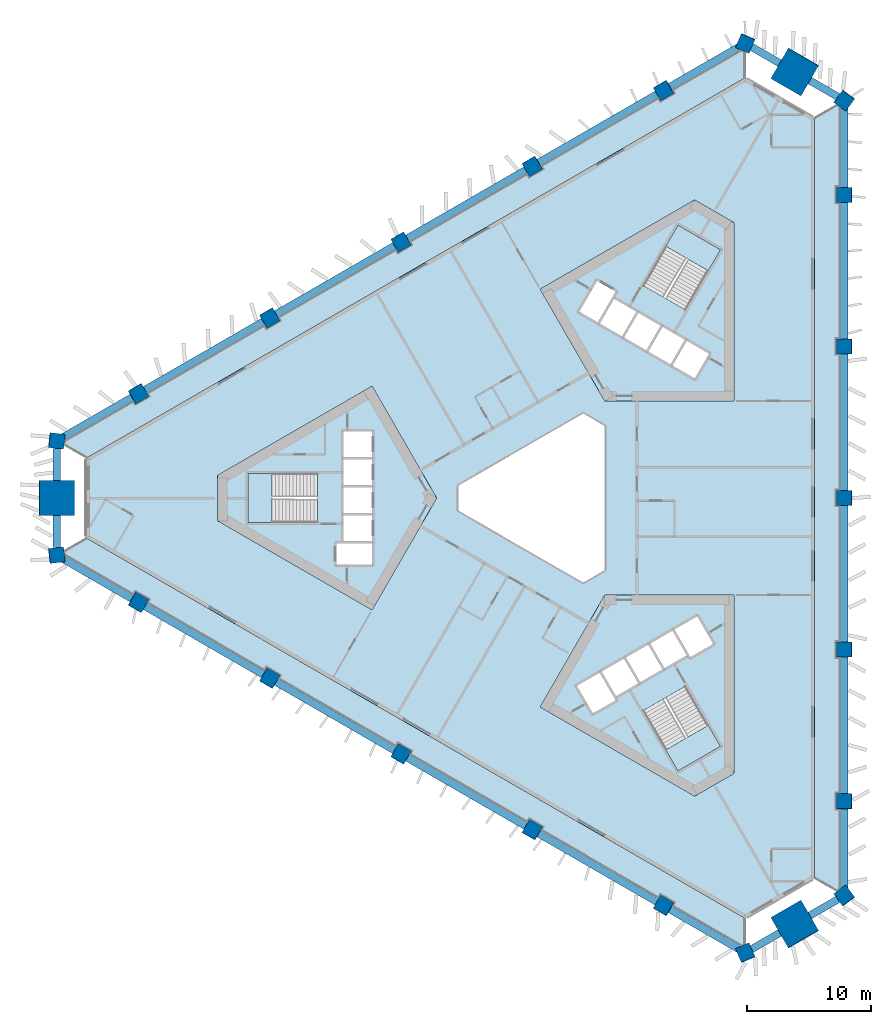
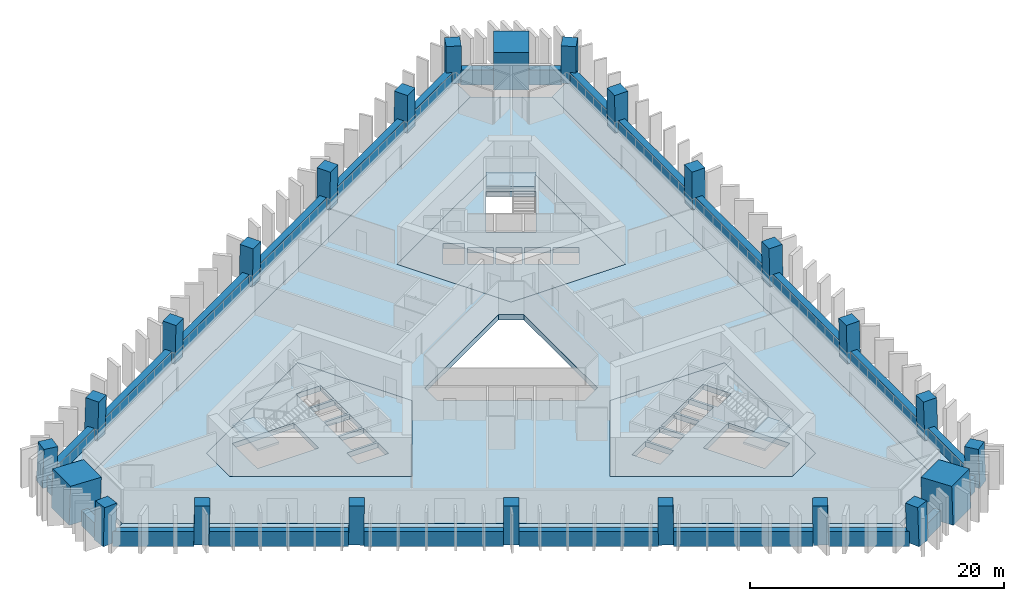
# One storey, part 1 of 10: 24 beams, 24 columns, 10 slabs, 3 elements without a shape of their own.
"""IFC4 building model written with IfcOpenShell, lengths in metres."""

from ifc_helpers import new_model, si_unit, direction, frame, origin, origin_2d, place, context, subcontext, project, spatial, polyline, rectangle, outline, extrude, material, layer, layer_set, material_profile, profile_set, type_object, element, aggregate, save


model = new_model("IFC4")

# Units and contexts
model_context = context("Model", 3, precision=1e-05, world=origin(), true_north=direction((0.0, 1.0)))
body_context = subcontext(model_context, "Body", "Model", "MODEL_VIEW")
ifc_project = project(units=[si_unit("LENGTHUNIT", "METRE"), si_unit("AREAUNIT", "SQUARE_METRE"), si_unit("VOLUMEUNIT", "CUBIC_METRE"), si_unit("PLANEANGLEUNIT", "RADIAN"), si_unit("MASSUNIT", "GRAM", prefix="KILO")], contexts=[model_context])

# Site, building, storey
site_placement = place(None, origin())
site = spatial("IfcSite", under=ifc_project, at=site_placement, CompositionType="ELEMENT")
building_placement = place(site_placement, origin())
building = spatial("IfcBuilding", under=site, at=building_placement, Name="Jabali Bay Hotel Tower and Convention Centre", CompositionType="ELEMENT")
storey_placement = place(building_placement, frame((0.0, 0.0, 44.800048828125)))
storey = spatial("IfcBuildingStorey", under=building, at=storey_placement, Name="L09", CompositionType="ELEMENT", Elevation=44.800048828125)

# Columns
ifc_material_1 = material(Name="Concrete C60", Category="concrete")
ifc_material_profile_1 = material_profile(ifc_material_1, rectangle(XDim=1.199951171875, YDim=1.199951171875, at=origin_2d()), Name="Frame column 1200")
ifc_profile_set_1 = profile_set([ifc_material_profile_1], Name="Concrete C60")
column_type_1 = type_object("IfcColumnType", Name="Frame column 1200", PredefinedType="COLUMN", material=ifc_profile_set_1)
column_1_placement = place(storey_placement, frame((84.224609375, 112.75146484375, 0.0), z_axis=(-0.008376454378, -0.028163354484, 0.999568237028), x_axis=(0.865853490665, 0.499842344986, 0.021339232902)))
element("IfcColumn", 1, at=column_1_placement, inside=storey, type_object=column_type_1, Name="FC1 F1.1 L09", PredefinedType="COLUMN", context=body_context, shape_type="SweptSolid", body=[
    extrude(rectangle(XDim=1.199951171875, YDim=1.199951171875, at=origin_2d()), origin(), (0.0, 0.0, 1.0), 3.70166015625),
])
column_2_placement = place(storey_placement, frame((73.674560546875, 106.66015625, 0.0), z_axis=(0.000857580205, -0.022758859284, 0.9997406158), x_axis=(0.865999914472, 0.499930977311, 0.010637953697)))
element("IfcColumn", 2, at=column_2_placement, inside=storey, type_object=column_type_1, Name="FC1 F1.2 L09", PredefinedType="COLUMN", context=body_context, shape_type="SweptSolid", body=[
    extrude(rectangle(XDim=1.199951171875, YDim=1.199951171875, at=origin_2d()), origin(), (0.0, 0.0, 1.0), 3.700927734375),
])
column_3_placement = place(storey_placement, frame((63.12451171875, 100.569091796875, 0.0), z_axis=(0.010093620709, -0.017482414954, 0.999796221231), x_axis=(-0.499902890187, 0.86584616669, 0.020187025825)))
element("IfcColumn", 3, at=column_3_placement, inside=storey, type_object=column_type_1, Name="FC1 F1.3 L09", PredefinedType="COLUMN", context=body_context, shape_type="SweptSolid", body=[
    extrude(rectangle(XDim=1.199951171875, YDim=1.199951171875, at=origin_2d()), origin(), (0.0, 0.0, 1.0), 3.70068359375),
])
column_4_placement = place(storey_placement, frame((52.57421875, 94.47802734375, 0.0), z_axis=(0.019328516974, -0.012138044789, 0.999739504221), x_axis=(-0.500214302693, 0.865666432488, 0.020181155676)))
element("IfcColumn", 4, at=column_4_placement, inside=storey, type_object=column_type_1, Name="FC1 F1.4 L09", PredefinedType="COLUMN", context=body_context, shape_type="SweptSolid", body=[
    extrude(rectangle(XDim=1.199951171875, YDim=1.199951171875, at=origin_2d()), origin(), (0.0, 0.0, 1.0), 3.700927734375),
])
for number, where, z_axis, x_axis, name in (
    (5, (42.024169921875, 88.386962890625, 0.0), (0.028559101991, -0.006859460986, 0.999568569678), (-0.498515218099, 0.866645785643, 0.020190580742), "FC1 F1.5 L09"),
    (6, (42.024169921875, 71.613037109375, 0.0), (0.028559101991, 0.006859460986, 0.999568569678), (-0.866410384874, 0.498876768373, 0.021331079692), "FC1 F2.1 L09"),
):
    element("IfcColumn", number, at=place(storey_placement, frame(where, z_axis=z_axis, x_axis=x_axis)), inside=storey, type_object=column_type_1, Name=name, PredefinedType="COLUMN", context=body_context, shape_type="SweptSolid", body=[
        extrude(rectangle(XDim=1.199951171875, YDim=1.199951171875, at=origin_2d()), origin(), (0.0, 0.0, 1.0), 3.70166015625),
    ])
column_5_placement = place(storey_placement, frame((52.57421875, 65.52197265625, 0.0), z_axis=(0.019328516974, 0.012138044789, 0.999739504221), x_axis=(-0.865685889808, 0.500474070789, 0.010660424724)))
element("IfcColumn", 7, at=column_5_placement, inside=storey, type_object=column_type_1, Name="FC1 F2.2 L09", PredefinedType="COLUMN", context=body_context, shape_type="SweptSolid", body=[
    extrude(rectangle(XDim=1.199951171875, YDim=1.199951171875, at=origin_2d()), origin(), (0.0, 0.0, 1.0), 3.700927734375),
])
column_6_placement = place(storey_placement, frame((63.12451171875, 59.430908203125, 0.0), z_axis=(0.010093620709, 0.017482414954, 0.999796221231), x_axis=(-0.866022643586, 0.500004780773, 1.3036e-08)))
element("IfcColumn", 8, at=column_6_placement, inside=storey, type_object=column_type_1, Name="FC1 F2.3 L09", PredefinedType="COLUMN", context=body_context, shape_type="SweptSolid", body=[
    extrude(rectangle(XDim=1.199951171875, YDim=1.199951171875, at=origin_2d()), origin(), (0.0, 0.0, 1.0), 3.70068359375),
])
column_7_placement = place(storey_placement, frame((73.674560546875, 53.33984375, 0.0), z_axis=(0.000857580205, 0.022758859284, 0.9997406158), x_axis=(-0.500043410805, -0.865766164879, 0.020137901104)))
element("IfcColumn", 9, at=column_7_placement, inside=storey, type_object=column_type_1, Name="FC1 F2.4 L09", PredefinedType="COLUMN", context=body_context, shape_type="SweptSolid", body=[
    extrude(rectangle(XDim=1.199951171875, YDim=1.199951171875, at=origin_2d()), origin(), (0.0, 0.0, 1.0), 3.700927734375),
])
for number, where, z_axis, x_axis, name in (
    (10, (84.224609375, 47.24853515625, 0.0), (-0.008376454378, 0.028163354484, 0.999568237028), (-0.500227515951, -0.8656583943, 0.02019843219), "FC1 F2.5 L09"),
    (11, (98.751220703125, 55.635498046875, 0.0), (-0.020182659751, 0.021303918626, 0.999569308901), (0.000228267203, -0.99977282903, 0.021312865295), "FC1 F0.1 L09"),
):
    element("IfcColumn", number, at=place(storey_placement, frame(where, z_axis=z_axis, x_axis=x_axis)), inside=storey, type_object=column_type_1, Name=name, PredefinedType="COLUMN", context=body_context, shape_type="SweptSolid", body=[
        extrude(rectangle(XDim=1.199951171875, YDim=1.199951171875, at=origin_2d()), origin(), (0.0, 0.0, 1.0), 3.70166015625),
    ])
column_8_placement = place(storey_placement, frame((98.751220703125, 67.81787109375, 0.0), z_axis=(-0.020186102726, 0.010620792611, 0.999739826165), x_axis=(0.001543238363, -0.999942052594, 0.01065410105)))
element("IfcColumn", 12, at=column_8_placement, inside=storey, type_object=column_type_1, Name="FC1 F0.2 L09", PredefinedType="COLUMN", context=body_context, shape_type="SweptSolid", body=[
    extrude(rectangle(XDim=1.199951171875, YDim=1.199951171875, at=origin_2d()), origin(), (0.0, 0.0, 1.0), 3.700927734375),
])
column_9_placement = place(storey_placement, frame((98.751220703125, 80.0, 0.0), z_axis=(-0.020187241331, 0.0, 0.99979621688), x_axis=(0.0, -1.0, 0.0)))
element("IfcColumn", 13, at=column_9_placement, inside=storey, type_object=column_type_1, Name="FC1 F0.3 L09", PredefinedType="COLUMN", context=body_context, shape_type="SweptSolid", body=[
    extrude(rectangle(XDim=1.199951171875, YDim=1.199951171875, at=origin_2d()), origin(), (0.0, 0.0, 1.0), 3.70068359375),
])
column_10_placement = place(storey_placement, frame((98.751220703125, 92.18212890625, 0.0), z_axis=(-0.020186102726, -0.010620792611, 0.999739826165), x_axis=(0.999795048834, -0.001757901631, 0.020168542579)))
element("IfcColumn", 14, at=column_10_placement, inside=storey, type_object=column_type_1, Name="FC1 F0.4 L09", PredefinedType="COLUMN", context=body_context, shape_type="SweptSolid", body=[
    extrude(rectangle(XDim=1.199951171875, YDim=1.199951171875, at=origin_2d()), origin(), (0.0, 0.0, 1.0), 3.700927734375),
])
column_11_placement = place(storey_placement, frame((98.751220703125, 104.364501953125, 0.0), z_axis=(-0.020182659751, -0.021303918626, 0.999569308901), x_axis=(0.999796283319, -0.000658319199, 0.020173211851)))
element("IfcColumn", 15, at=column_11_placement, inside=storey, type_object=column_type_1, Name="FC1 F0.5 L09", PredefinedType="COLUMN", context=body_context, shape_type="SweptSolid", body=[
    extrude(rectangle(XDim=1.199951171875, YDim=1.199951171875, at=origin_2d()), origin(), (0.0, 0.0, 1.0), 3.70166015625),
])
for number, where, z_axis, x_axis, name in (
    (16, (98.751220703125, 48.044921875, 0.0), (-0.020178741915, 0.029015184452, 0.999375273581), (-0.802691224147, -0.596393805554, 0.00110786934), "FC1 V0 L09"),
    (17, (98.751220703125, 111.955078125, 0.0), (-0.020178741915, -0.029015184452, 0.999375273581), (0.596053367621, 0.802167406324, 0.035324710609), "FC1 V1 L09"),
    (18, (90.79833984375, 116.546630859375, 0.0), (-0.015035141917, -0.031982648376, 0.99937533225), (0.917869609485, -0.396880527339, 0.001107701432), "FC1 V2 L09"),
    (19, (35.450439453125, 84.591552734375, 0.0), (0.03521388716, -0.002967462401, 0.999375393092), (-0.992723844465, 0.115116342113, 0.035321330804), "FC1 V3 L09"),
    (20, (35.450439453125, 75.408447265625, 0.0), (0.03521388716, 0.002967462401, 0.999375393092), (-0.115149254371, 0.993347583651, 0.001107823198), "FC1 V4 L09"),
    (21, (90.79833984375, 43.453369140625, 0.0), (-0.015035141917, 0.031982648376, 0.99937533225), (0.396597181647, -0.91731290039, 0.035323056028), "FC1 V5 L09"),
):
    element("IfcColumn", number, at=place(storey_placement, frame(where, z_axis=z_axis, x_axis=x_axis)), inside=storey, type_object=column_type_1, Name=name, PredefinedType="COLUMN", context=body_context, shape_type="SweptSolid", body=[
        extrude(rectangle(XDim=1.199951171875, YDim=1.199951171875, at=origin_2d()), origin(), (0.0, 0.0, 1.0), 3.7021484375),
    ])
ifc_material_2 = material(Name="Concrete C70", Category="concrete")
ifc_material_profile_2 = material_profile(ifc_material_2, rectangle(XDim=2.800048828125, YDim=2.800048828125, at=origin_2d()), Name="Mega column 2800")
ifc_profile_set_2 = profile_set([ifc_material_profile_2], Name="Concrete C70")
column_type_2 = type_object("IfcColumnType", Name="Mega column 2800", PredefinedType="COLUMN", material=ifc_profile_set_2)
for number, where, z_axis, x_axis, name in (
    (22, (94.774658203125, 114.2509765625, 0.0), (-0.017607001884, -0.030531992032, 0.999378702468), (0.866279052578, -0.499560409824, 2.461e-09), "MC1 M1 L09"),
    (23, (35.450439453125, 80.0, 0.0), (0.035214042205, 0.0, 0.999379793288), (0.0, 1.0, 0.0), "MC1 M0 L09"),
    (24, (94.774658203125, 45.7490234375, 0.0), (-0.017607001884, 0.030531992032, 0.999378702468), (0.4992500341, -0.865740835585, 0.035244986208), "MC1 M2 L09"),
):
    element("IfcColumn", number, at=place(storey_placement, frame(where, z_axis=z_axis, x_axis=x_axis)), inside=storey, type_object=column_type_2, Name=name, PredefinedType="COLUMN", context=body_context, shape_type="SweptSolid", body=[
        extrude(rectangle(XDim=2.800048828125, YDim=2.800048828125, at=origin_2d()), origin(), (0.0, 0.0, 1.0), 3.7021484375),
    ])

# Beams
ifc_material_profile_3 = material_profile(ifc_material_1, rectangle(XDim=0.60009765625, YDim=1.449951171875, at=origin_2d()), Name="Spandrel 600x1450")
ifc_profile_set_3 = profile_set([ifc_material_profile_3], Name="Concrete C60")
beam_type = type_object("IfcBeamType", Name="Spandrel 600x1450", PredefinedType="SPANDREL", material=ifc_profile_set_3)
beam_1_placement = place(storey_placement, frame((93.5556640625, 114.939453125, 0.375), z_axis=(-0.866036488581, 0.499980800078, 0.0), x_axis=(-0.499980800078, -0.866036488581, 0.0)))
element("IfcBeam", 25, at=beam_1_placement, inside=storey, type_object=beam_type, Name="Spandrel M1-V2 L09", PredefinedType="SPANDREL", context=body_context, shape_type="SweptSolid", body=[
    extrude(rectangle(XDim=0.60009765625, YDim=1.449951171875, at=origin_2d()), origin(), (0.0, 0.0, 1.0), 2.59033203125),
])
beam_2_placement = place(storey_placement, frame((90.27294921875, 116.234619140625, 0.375), z_axis=(-0.866018823291, -0.500011397576, 0.0), x_axis=(0.500011397576, -0.866018823291, 0.0)))
element("IfcBeam", 26, at=beam_2_placement, inside=storey, type_object=beam_type, Name="Spandrel V2-F1.1 L09", PredefinedType="SPANDREL", context=body_context, shape_type="SweptSolid", body=[
    extrude(rectangle(XDim=0.60009765625, YDim=1.449951171875, at=origin_2d()), origin(), (0.0, 0.0, 1.0), 6.387451171875),
])
for number, where, z_axis, x_axis, name in (
    (27, (83.701904296875, 112.44091796875, 0.375), (-0.866023011179, -0.500004144091, 0.0), (0.500004144091, -0.866023011179, 0.0), "Spandrel F1.1-F1.2 L09"),
    (28, (73.1552734375, 106.351806640625, 0.375), (-0.866023011179, -0.500004144091, 0.0), (0.500004144091, -0.866023011179, 0.0), "Spandrel F1.2-F1.3 L09"),
    (29, (62.608642578125, 100.2626953125, 0.375), (-0.866023011179, -0.500004144091, 0.0), (0.500004144091, -0.866023011179, 0.0), "Spandrel F1.3-F1.4 L09"),
    (30, (52.06201171875, 94.173583984375, 0.375), (-0.866023011179, -0.500004144091, 0.0), (0.500004144091, -0.866023011179, 0.0), "Spandrel F1.4-F1.5 L09"),
):
    element("IfcBeam", number, at=place(storey_placement, frame(where, z_axis=z_axis, x_axis=x_axis)), inside=storey, type_object=beam_type, Name=name, PredefinedType="SPANDREL", context=body_context, shape_type="SweptSolid", body=[
        extrude(rectangle(XDim=0.60009765625, YDim=1.449951171875, at=origin_2d()), origin(), (0.0, 0.0, 1.0), 10.978515625),
    ])
beam_3_placement = place(storey_placement, frame((41.515380859375, 88.08447265625, 0.375), z_axis=(-0.866028378584, -0.499994847461, 0.0), x_axis=(0.499994847461, -0.866028378584, 0.0)))
element("IfcBeam", 31, at=beam_3_placement, inside=storey, type_object=beam_type, Name="Spandrel F1.5-V3 L09", PredefinedType="SPANDREL", context=body_context, shape_type="SweptSolid", body=[
    extrude(rectangle(XDim=0.60009765625, YDim=1.449951171875, at=origin_2d()), origin(), (0.0, 0.0, 1.0), 6.3876953125),
])
for number, where, z_axis, x_axis, name in (
    (32, (35.463623046875, 83.990478515625, 0.375), (0.0, -1.0, 0.0), (1.0, 0.0, 0.0), "Spandrel V3-M0 L09"),
    (33, (35.463623046875, 78.60009765625, 0.375), (0.0, -1.0, 0.0), (1.0, 0.0, 0.0), "Spandrel M0-V4 L09"),
):
    element("IfcBeam", number, at=place(storey_placement, frame(where, z_axis=z_axis, x_axis=x_axis)), inside=storey, type_object=beam_type, Name=name, PredefinedType="SPANDREL", context=body_context, shape_type="SweptSolid", body=[
        extrude(rectangle(XDim=0.60009765625, YDim=1.449951171875, at=origin_2d()), origin(), (0.0, 0.0, 1.0), 2.590576171875),
    ])
beam_4_placement = place(storey_placement, frame((35.9833984375, 75.109375, 0.375), z_axis=(0.866028378584, -0.499994847461, 0.0), x_axis=(0.499994847461, 0.866028378584, 0.0)))
element("IfcBeam", 34, at=beam_4_placement, inside=storey, type_object=beam_type, Name="Spandrel V4-F2.1 L09", PredefinedType="SPANDREL", context=body_context, shape_type="SweptSolid", body=[
    extrude(rectangle(XDim=0.60009765625, YDim=1.449951171875, at=origin_2d()), origin(), (0.0, 0.0, 1.0), 6.3876953125),
])
for number, where, z_axis, x_axis, name in (
    (35, (42.554443359375, 71.315673828125, 0.375), (0.866023011179, -0.500004144091, 0.0), (0.500004144091, 0.866023011179, 0.0), "Spandrel F2.1-F2.2 L09"),
    (36, (53.10107421875, 65.2265625, 0.375), (0.866023011179, -0.500004144091, 0.0), (0.500004144091, 0.866023011179, 0.0), "Spandrel F2.2-F2.3 L09"),
    (37, (63.647705078125, 59.137451171875, 0.375), (0.866023011179, -0.500004144091, 0.0), (0.500004144091, 0.866023011179, 0.0), "Spandrel F2.3-F2.4 L09"),
    (38, (74.1943359375, 53.04833984375, 0.375), (0.866023011179, -0.500004144091, 0.0), (0.500004144091, 0.866023011179, 0.0), "Spandrel F2.4-F2.5 L09"),
):
    element("IfcBeam", number, at=place(storey_placement, frame(where, z_axis=z_axis, x_axis=x_axis)), inside=storey, type_object=beam_type, Name=name, PredefinedType="SPANDREL", context=body_context, shape_type="SweptSolid", body=[
        extrude(rectangle(XDim=0.60009765625, YDim=1.449951171875, at=origin_2d()), origin(), (0.0, 0.0, 1.0), 10.978515625),
    ])
beam_5_placement = place(storey_placement, frame((84.7412109375, 46.959228515625, 0.375), z_axis=(0.866018823291, -0.500011397576, 0.0), x_axis=(0.500011397576, 0.866018823291, 0.0)))
element("IfcBeam", 39, at=beam_5_placement, inside=storey, type_object=beam_type, Name="Spandrel F2.5-V5 L09", PredefinedType="SPANDREL", context=body_context, shape_type="SweptSolid", body=[
    extrude(rectangle(XDim=0.60009765625, YDim=1.449951171875, at=origin_2d()), origin(), (0.0, 0.0, 1.0), 6.387451171875),
])
beam_6_placement = place(storey_placement, frame((91.312255859375, 43.765380859375, 0.375), z_axis=(0.866036488581, 0.499980800078, 0.0), x_axis=(-0.499980800078, 0.866036488581, 0.0)))
element("IfcBeam", 40, at=beam_6_placement, inside=storey, type_object=beam_type, Name="Spandrel V5-M2 L09", PredefinedType="SPANDREL", context=body_context, shape_type="SweptSolid", body=[
    extrude(rectangle(XDim=0.60009765625, YDim=1.449951171875, at=origin_2d()), origin(), (0.0, 0.0, 1.0), 2.59033203125),
])
beam_7_placement = place(storey_placement, frame((95.98046875, 46.460693359375, 0.375), z_axis=(0.866060045659, 0.499939993713, 0.0), x_axis=(-0.499939993713, 0.866060045659, 0.0)))
element("IfcBeam", 41, at=beam_7_placement, inside=storey, type_object=beam_type, Name="Spandrel M2-V0 L09", PredefinedType="SPANDREL", context=body_context, shape_type="SweptSolid", body=[
    extrude(rectangle(XDim=0.60009765625, YDim=1.449951171875, at=origin_2d()), origin(), (0.0, 0.0, 1.0), 2.590576171875),
])
beam_8_placement = place(storey_placement, frame((98.74365234375, 48.65576171875, 0.375), z_axis=(0.0, 1.0, 0.0), x_axis=(-1.0, 0.0, 0.0)))
element("IfcBeam", 42, at=beam_8_placement, inside=storey, type_object=beam_type, Name="Spandrel V0-F0.1 L09", PredefinedType="SPANDREL", context=body_context, shape_type="SweptSolid", body=[
    extrude(rectangle(XDim=0.60009765625, YDim=1.449951171875, at=origin_2d()), origin(), (0.0, 0.0, 1.0), 6.3876953125),
])
for number, where, z_axis, x_axis, name in (
    (43, (98.74365234375, 56.24365234375, 0.375), (0.0, 1.0, 0.0), (-1.0, 0.0, 0.0), "Spandrel F0.1-F0.2 L09"),
    (44, (98.74365234375, 68.421875, 0.375), (0.0, 1.0, 0.0), (-1.0, 0.0, 0.0), "Spandrel F0.2-F0.3 L09"),
    (45, (98.74365234375, 80.60009765625, 0.375), (0.0, 1.0, 0.0), (-1.0, 0.0, 0.0), "Spandrel F0.3-F0.4 L09"),
    (46, (98.74365234375, 92.7783203125, 0.375), (0.0, 1.0, 0.0), (-1.0, 0.0, 0.0), "Spandrel F0.4-F0.5 L09"),
):
    element("IfcBeam", number, at=place(storey_placement, frame(where, z_axis=z_axis, x_axis=x_axis)), inside=storey, type_object=beam_type, Name=name, PredefinedType="SPANDREL", context=body_context, shape_type="SweptSolid", body=[
        extrude(rectangle(XDim=0.60009765625, YDim=1.449951171875, at=origin_2d()), origin(), (0.0, 0.0, 1.0), 10.97802734375),
    ])
beam_9_placement = place(storey_placement, frame((98.74365234375, 104.95654296875, 0.375), z_axis=(0.0, 1.0, 0.0), x_axis=(-1.0, 0.0, 0.0)))
element("IfcBeam", 47, at=beam_9_placement, inside=storey, type_object=beam_type, Name="Spandrel F0.5-V1 L09", PredefinedType="SPANDREL", context=body_context, shape_type="SweptSolid", body=[
    extrude(rectangle(XDim=0.60009765625, YDim=1.449951171875, at=origin_2d()), origin(), (0.0, 0.0, 1.0), 6.3876953125),
])
beam_10_placement = place(storey_placement, frame((98.22412109375, 112.244140625, 0.375), z_axis=(-0.866060045659, 0.499939993713, 0.0), x_axis=(-0.499939993713, -0.866060045659, 0.0)))
element("IfcBeam", 48, at=beam_10_placement, inside=storey, type_object=beam_type, Name="Spandrel V1-M1 L09", PredefinedType="SPANDREL", context=body_context, shape_type="SweptSolid", body=[
    extrude(rectangle(XDim=0.60009765625, YDim=1.449951171875, at=origin_2d()), origin(), (0.0, 0.0, 1.0), 2.590576171875),
])

# Slabs
ifc_material_3 = material(Name="Concrete C40", Category="concrete")
ifc_layer_1 = layer(ifc_material_3, 0.5)
ifc_layer_set_1 = layer_set([ifc_layer_1], Name="Concrete C40")
slab_type_1 = type_object("IfcSlabType", Name="Core floor slab 500", PredefinedType="FLOOR", material=ifc_layer_set_1)
slab_1_placement = place(storey_placement, frame((0.0, 0.0, -0.5)))
element("IfcSlab", 49, at=slab_1_placement, inside=storey, type_object=slab_type_1, Name="Core floor slab 1 L09", PredefinedType="FLOOR", context=body_context, shape_type="SweptSolid", body=[
    extrude(outline(polyline([(66.0, 80.0), (60.81005859375, 88.9892578125), (48.39697265625, 81.82275390625), (48.39697265625, 78.17724609375), (60.81005859375, 71.0107421875), (66.0, 80.0)]), holes=[polyline([(60.800048828125, 74.64990234375), (60.800048828125, 76.35009765625), (57.949951171875, 76.35009765625), (57.949951171875, 74.64990234375), (60.800048828125, 74.64990234375)]), polyline([(58.52001953125, 76.550048828125), (60.800048828125, 76.550048828125), (60.800048828125, 78.60009765625), (58.52001953125, 78.60009765625), (58.52001953125, 76.550048828125)]), polyline([(58.52001953125, 78.800048828125), (60.800048828125, 78.800048828125), (60.800048828125, 80.85009765625), (58.52001953125, 80.85009765625), (58.52001953125, 78.800048828125)]), polyline([(56.409912109375, 81.97509765625), (50.820068359375, 81.97509765625), (50.820068359375, 78.02490234375), (56.409912109375, 78.02490234375), (56.409912109375, 81.97509765625)]), polyline([(58.52001953125, 81.050048828125), (60.800048828125, 81.050048828125), (60.800048828125, 83.10009765625), (58.52001953125, 83.10009765625), (58.52001953125, 81.050048828125)]), polyline([(58.52001953125, 83.300048828125), (60.800048828125, 83.300048828125), (60.800048828125, 85.35009765625), (58.52001953125, 85.35009765625), (58.52001953125, 83.300048828125)])]), origin(), (0.0, 0.0, 1.0), 0.5),
])
slab_2_placement = place(storey_placement, frame((0.0, 0.0, -0.5)))
element("IfcSlab", 50, at=slab_2_placement, inside=storey, type_object=slab_type_1, Name="Core floor slab 2 L09", PredefinedType="FLOOR", context=body_context, shape_type="SweptSolid", body=[
    extrude(outline(polyline([(79.5, 87.794189453125), (89.8798828125, 87.794189453125), (89.8798828125, 102.127685546875), (86.72314453125, 103.9501953125), (74.31005859375, 96.78369140625), (79.5, 87.794189453125)]), holes=[polyline([(84.957763671875, 90.6474609375), (86.733154296875, 89.62255859375), (87.873291015625, 91.59716796875), (86.097900390625, 92.6220703125), (84.957763671875, 90.6474609375)]), polyline([(84.1494140625, 93.7470703125), (83.00927734375, 91.7724609375), (84.78466796875, 90.74755859375), (85.924560546875, 92.72216796875), (84.1494140625, 93.7470703125)]), polyline([(82.20068359375, 94.8720703125), (81.060791015625, 92.8974609375), (82.836181640625, 91.87255859375), (83.97607421875, 93.84716796875), (82.20068359375, 94.8720703125)]), polyline([(79.1123046875, 94.0224609375), (80.887451171875, 92.99755859375), (82.027587890625, 94.97216796875), (80.252197265625, 95.9970703125), (79.1123046875, 94.0224609375)]), polyline([(78.891845703125, 97.440673828125), (77.466796875, 94.97265625), (78.93896484375, 94.12255859375), (80.364013671875, 96.5908203125), (78.891845703125, 97.440673828125)]), polyline([(82.584716796875, 97.0869140625), (86.00537109375, 95.11181640625), (88.80029296875, 99.952880859375), (85.379638671875, 101.927978515625), (82.584716796875, 97.0869140625)])]), origin(), (0.0, 0.0, 1.0), 0.5),
])
slab_3_placement = place(storey_placement, frame((0.0, 0.0, -0.5)))
element("IfcSlab", 51, at=slab_3_placement, inside=storey, type_object=slab_type_1, Name="Core floor slab 3 L09", PredefinedType="FLOOR", context=body_context, shape_type="SweptSolid", body=[
    extrude(outline(polyline([(79.5, 72.205810546875), (74.31005859375, 63.21630859375), (86.72314453125, 56.0498046875), (89.8798828125, 57.872314453125), (89.8798828125, 72.205810546875), (79.5, 72.205810546875)]), holes=[polyline([(82.584716796875, 62.9130859375), (85.379638671875, 58.072021484375), (88.80029296875, 60.047119140625), (86.00537109375, 64.88818359375), (82.584716796875, 62.9130859375)]), polyline([(80.365478515625, 63.756591796875), (79.090576171875, 65.96484375), (77.27197265625, 64.9150390625), (78.546875, 62.70654296875), (80.365478515625, 63.756591796875)]), polyline([(82.17919921875, 65.115478515625), (81.0390625, 67.08984375), (79.263671875, 66.06494140625), (80.40380859375, 64.09033203125), (82.17919921875, 65.115478515625)]), polyline([(82.98779296875, 68.21484375), (81.21240234375, 67.18994140625), (82.352294921875, 65.21533203125), (84.127685546875, 66.240478515625), (82.98779296875, 68.21484375)]), polyline([(86.076171875, 67.365478515625), (84.936279296875, 69.33984375), (83.160888671875, 68.31494140625), (84.30078125, 66.34033203125), (86.076171875, 67.365478515625)]), polyline([(88.203125, 68.281494140625), (86.927978515625, 70.489990234375), (85.109375, 69.43994140625), (86.384521484375, 67.231689453125), (88.203125, 68.281494140625)])]), origin(), (0.0, 0.0, 1.0), 0.5),
])
ifc_layer_2 = layer(ifc_material_3, 0.199951171875)
ifc_layer_set_2 = layer_set([ifc_layer_2], Name="Concrete C40")
slab_type_2 = type_object("IfcSlabType", Name="Loggia slab 200", PredefinedType="FLOOR", material=ifc_layer_set_2)
slab_4_placement = place(storey_placement, frame((0.0, 0.0, -0.199951171875)))
element("IfcSlab", 52, at=slab_4_placement, inside=storey, type_object=slab_type_2, Name="Loggia slab east face L09", PredefinedType="FLOOR", context=body_context, shape_type="SweptSolid", body=[
    extrude(outline(polyline([(96.351318359375, 110.5693359375), (98.18505859375, 111.628173828125), (98.451171875, 111.430419921875), (98.451171875, 104.96435546875), (98.151123046875, 104.96435546875), (98.151123046875, 103.764404296875), (98.451171875, 103.764404296875), (98.451171875, 92.7822265625), (98.151123046875, 92.7822265625), (98.151123046875, 91.582275390625), (98.451171875, 91.582275390625), (98.451171875, 80.60009765625), (98.151123046875, 80.60009765625), (98.151123046875, 79.39990234375), (98.451171875, 79.39990234375), (98.451171875, 68.417724609375), (98.151123046875, 68.417724609375), (98.151123046875, 67.2177734375), (98.451171875, 67.2177734375), (98.451171875, 56.235595703125), (98.151123046875, 56.235595703125), (98.151123046875, 55.03564453125), (98.451171875, 55.03564453125), (98.451171875, 48.569580078125), (98.18505859375, 48.371826171875), (96.351318359375, 49.4306640625), (96.351318359375, 110.5693359375)])), origin(), (0.0, 0.0, 1.0), 0.199951171875),
])
slab_5_placement = place(storey_placement, frame((0.0, 0.0, -0.199951171875)))
element("IfcSlab", 53, at=slab_5_placement, inside=storey, type_object=slab_type_2, Name="Loggia slab north-west face L09", PredefinedType="FLOOR", context=body_context, shape_type="SweptSolid", body=[
    extrude(outline(polyline([(37.8505859375, 83.2060546875), (36.0166015625, 84.264892578125), (36.054931640625, 84.59423828125), (41.654541015625, 87.8271484375), (41.804443359375, 87.5673828125), (42.84375, 88.167236328125), (42.69384765625, 88.427001953125), (52.20458984375, 93.918212890625), (52.354736328125, 93.658447265625), (53.393798828125, 94.25830078125), (53.243896484375, 94.518310546875), (62.7548828125, 100.00927734375), (62.90478515625, 99.74951171875), (63.944091796875, 100.349609375), (63.7939453125, 100.609375), (73.304931640625, 106.100341796875), (73.454833984375, 105.840576171875), (74.494140625, 106.440673828125), (74.34423828125, 106.700439453125), (83.85498046875, 112.191650390625), (84.005126953125, 111.931640625), (85.044189453125, 112.53173828125), (84.894287109375, 112.79150390625), (90.493896484375, 116.024658203125), (90.79833984375, 115.89306640625), (90.79833984375, 113.775390625), (37.8505859375, 83.2060546875)])), origin(), (0.0, 0.0, 1.0), 0.199951171875),
])
slab_6_placement = place(storey_placement, frame((0.0, 0.0, -0.199951171875)))
element("IfcSlab", 54, at=slab_6_placement, inside=storey, type_object=slab_type_2, Name="Loggia slab south-west face L09", PredefinedType="FLOOR", context=body_context, shape_type="SweptSolid", body=[
    extrude(outline(polyline([(90.79833984375, 46.224609375), (90.79833984375, 44.10693359375), (90.493896484375, 43.975341796875), (84.894287109375, 47.20849609375), (85.044189453125, 47.46826171875), (84.005126953125, 48.068359375), (83.85498046875, 47.808349609375), (74.34423828125, 53.299560546875), (74.494140625, 53.559326171875), (73.454833984375, 54.159423828125), (73.304931640625, 53.899658203125), (63.7939453125, 59.390625), (63.944091796875, 59.650390625), (62.90478515625, 60.25048828125), (62.7548828125, 59.99072265625), (53.243896484375, 65.481689453125), (53.393798828125, 65.74169921875), (52.354736328125, 66.341552734375), (52.20458984375, 66.081787109375), (42.69384765625, 71.572998046875), (42.84375, 71.832763671875), (41.804443359375, 72.4326171875), (41.654541015625, 72.1728515625), (36.054931640625, 75.40576171875), (36.0166015625, 75.735107421875), (37.8505859375, 76.7939453125), (90.79833984375, 46.224609375)])), origin(), (0.0, 0.0, 1.0), 0.199951171875),
])
ifc_layer_3 = layer(ifc_material_3, 0.5)
ifc_layer_set_3 = layer_set([ifc_layer_3], Name="Concrete C40")
slab_type_3 = type_object("IfcSlabType", Name="Post-tensioned flat slab 500", PredefinedType="FLOOR", material=ifc_layer_set_3)
slab_7_placement = place(storey_placement, frame((0.0, 0.0, -0.5)))
element("IfcSlab", 55, at=slab_7_placement, inside=storey, type_object=slab_type_3, Name="Floor slab L09", PredefinedType="FLOOR", context=body_context, shape_type="SweptSolid", body=[
    extrude(outline(polyline([(90.79833984375, 113.775390625), (96.351318359375, 110.5693359375), (96.351318359375, 49.4306640625), (90.79833984375, 46.224609375), (37.8505859375, 76.7939453125), (37.8505859375, 83.2060546875), (90.79833984375, 113.775390625)]), holes=[polyline([(67.73193359375, 79.0), (77.76806640625, 73.205810546875), (79.5, 74.205810546875), (79.5, 85.794189453125), (77.76806640625, 86.794189453125), (67.73193359375, 81.0), (67.73193359375, 79.0)]), polyline([(48.39697265625, 78.17724609375), (60.81005859375, 71.0107421875), (66.0, 80.0), (60.81005859375, 88.9892578125), (48.39697265625, 81.82275390625), (48.39697265625, 78.17724609375)]), polyline([(89.8798828125, 102.127685546875), (86.72314453125, 103.9501953125), (74.31005859375, 96.78369140625), (79.5, 87.794189453125), (89.8798828125, 87.794189453125), (89.8798828125, 102.127685546875)]), polyline([(74.31005859375, 63.21630859375), (86.72314453125, 56.0498046875), (89.8798828125, 57.872314453125), (89.8798828125, 72.205810546875), (79.5, 72.205810546875), (74.31005859375, 63.21630859375)])]), origin(), (0.0, 0.0, 1.0), 0.5),
])

# Stair, slab
stair_type = type_object("IfcStairType", Name="Exit stair 1900", PredefinedType="HALF_TURN_STAIR", material=ifc_material_3)
stair_1_placement = place(storey_placement, origin())
stair_1 = element("IfcStair", 56, at=stair_1_placement, inside=storey, type_object=stair_type, Name="L09 Exit Stair 1", PredefinedType="HALF_TURN_STAIR")
ifc_layer_4 = layer(ifc_material_3, 0.199951171875)
ifc_layer_set_4 = layer_set([ifc_layer_4], Name="Concrete C40")
slab_type_4 = type_object("IfcSlabType", Name="Stair landing 200", PredefinedType="LANDING", material=ifc_layer_set_4)
slab_8_placement = place(storey_placement, frame((0.0, 0.0, 1.64990234375)))
slab_8 = element("IfcSlab", 57, at=slab_8_placement, type_object=slab_type_4, Name="ST1 landing 1", PredefinedType="LANDING", context=body_context, shape_type="SweptSolid", body=[
    extrude(outline(polyline([(52.782958984375, 81.97509765625), (50.820068359375, 81.97509765625), (50.820068359375, 78.02490234375), (52.782958984375, 78.02490234375), (52.782958984375, 81.97509765625)])), origin(), (0.0, 0.0, 1.0), 0.199951171875),
])
aggregate(stair_1, [slab_8])

stair_2_placement = place(storey_placement, origin())
stair_2 = element("IfcStair", 58, at=stair_2_placement, inside=storey, type_object=stair_type, Name="L09 Exit Stair 2", PredefinedType="HALF_TURN_STAIR")
slab_9_placement = place(storey_placement, frame((0.0, 0.0, 1.64990234375)))
slab_9 = element("IfcSlab", 59, at=slab_9_placement, type_object=slab_type_4, Name="ST2 landing 1", PredefinedType="LANDING", context=body_context, shape_type="SweptSolid", body=[
    extrude(outline(polyline([(87.81884765625, 98.2529296875), (88.80029296875, 99.952880859375), (85.379638671875, 101.927978515625), (84.398193359375, 100.22802734375), (87.81884765625, 98.2529296875)])), origin(), (0.0, 0.0, 1.0), 0.199951171875),
])
aggregate(stair_2, [slab_9])

stair_3_placement = place(storey_placement, origin())
stair_3 = element("IfcStair", 60, at=stair_3_placement, inside=storey, type_object=stair_type, Name="L09 Exit Stair 3", PredefinedType="HALF_TURN_STAIR")
slab_10_placement = place(storey_placement, frame((0.0, 0.0, 1.64990234375)))
slab_10 = element("IfcSlab", 61, at=slab_10_placement, type_object=slab_type_4, Name="ST3 landing 1", PredefinedType="LANDING", context=body_context, shape_type="SweptSolid", body=[
    extrude(outline(polyline([(84.398193359375, 59.77197265625), (85.379638671875, 58.072021484375), (88.80029296875, 60.047119140625), (87.81884765625, 61.7470703125), (84.398193359375, 59.77197265625)])), origin(), (0.0, 0.0, 1.0), 0.199951171875),
])
aggregate(stair_3, [slab_10])

save(model, "model.ifc")
